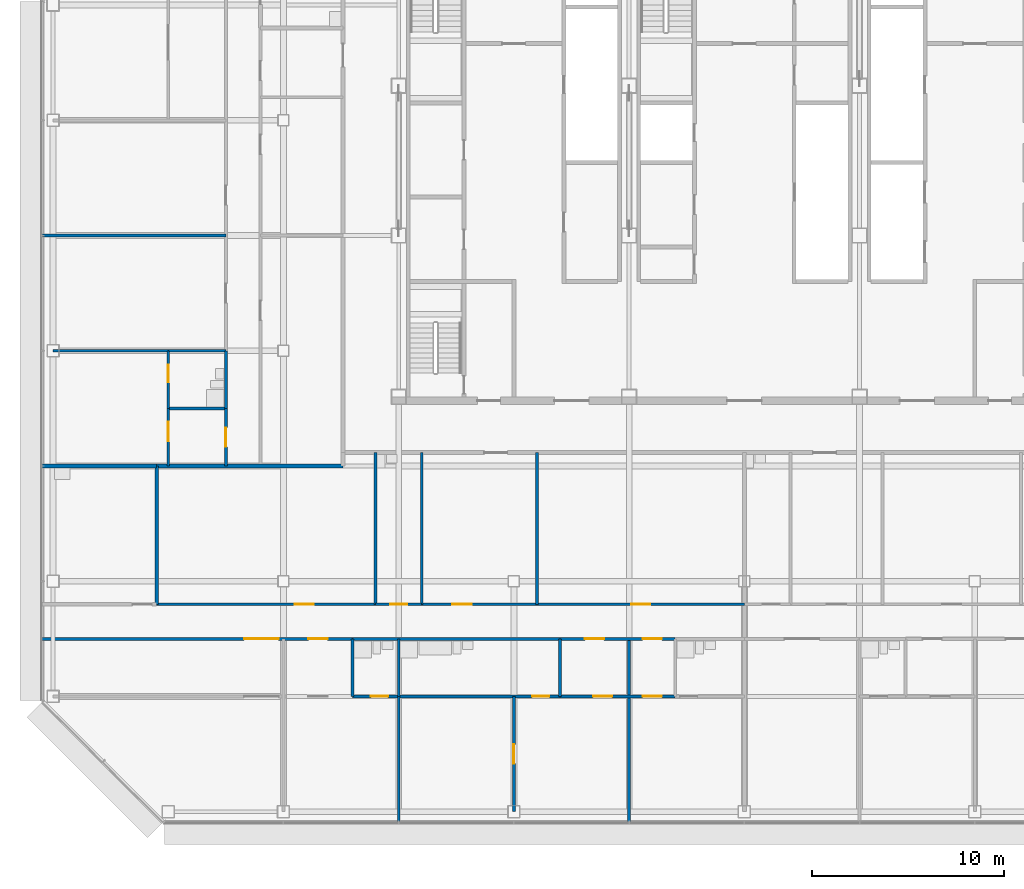
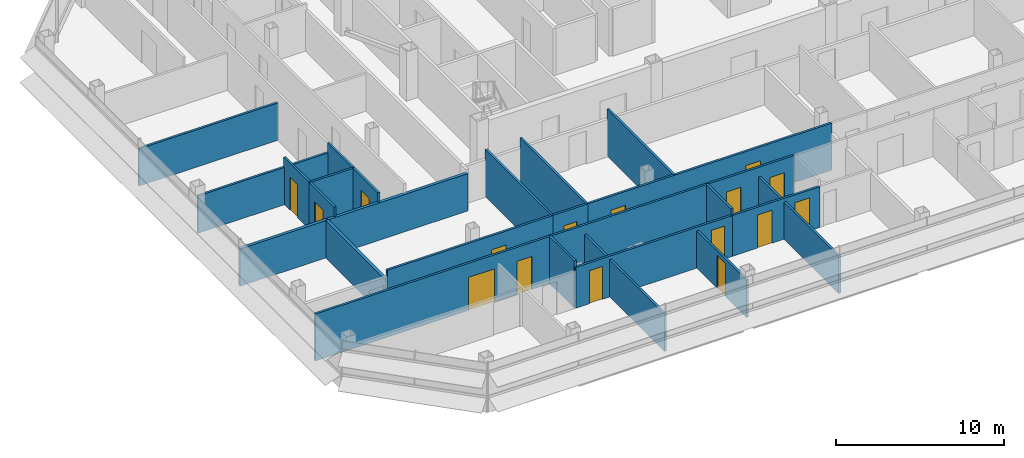
# One storey, part 20 of 27: 28 walls, 16 doors, 16 openings.
"""IFC4 building model written with IfcOpenShell, lengths in metres."""

from ifc_helpers import new_model, si_unit, direction, frame, frame_2d, origin, place, context, subcontext, project, spatial, rectangle, extrude, material, layer, layer_set, type_object, element, fill, save


model = new_model("IFC4")

# Units and contexts
model_context = context("Model", 3, precision=1e-05, world=origin(), true_north=direction((0.0, 1.0)))
body_context = subcontext(model_context, "Body", "Model", "MODEL_VIEW")
ifc_project = project(units=[si_unit("LENGTHUNIT", "METRE"), si_unit("AREAUNIT", "SQUARE_METRE"), si_unit("VOLUMEUNIT", "CUBIC_METRE"), si_unit("PLANEANGLEUNIT", "RADIAN"), si_unit("MASSUNIT", "GRAM", prefix="KILO")], contexts=[model_context])

# Site, building, storey
site_placement = place(None, origin())
site = spatial("IfcSite", under=ifc_project, at=site_placement, CompositionType="ELEMENT")
building_placement = place(site_placement, origin())
building = spatial("IfcBuilding", under=site, at=building_placement, Name="Sorahane Residences", CompositionType="ELEMENT")
storey_placement = place(building_placement, frame((0.0, 0.0, 226.199951171875)))
storey = spatial("IfcBuildingStorey", under=building, at=storey_placement, Name="L53", CompositionType="ELEMENT", Elevation=226.199951171875)

# Walls
ifc_material_1 = material(Name="Concrete blockwork C20 wall", Category="masonry")
ifc_layer_1 = layer(ifc_material_1, 0.199951171875)
ifc_layer_set_1 = layer_set([ifc_layer_1], Name="Kitchen wall 200 EI 180")
wall_type_1 = type_object("IfcWallType", Name="Kitchen wall 200 EI 180", PredefinedType="SOLIDWALL", material=ifc_layer_set_1)
wall_1_placement = place(storey_placement, frame((-6.60009765625, 10.800048828125, 0.0), z_axis=(0.0, 0.0, 1.0), x_axis=(0.0, 1.0, 0.0)))
element("IfcWall", 1, at=wall_1_placement, inside=storey, type_object=wall_type_1, Name="L53 kitchen wall", PredefinedType="SOLIDWALL", context=body_context, shape_type="SweptSolid", body=[
    extrude(rectangle(XDim=7.199951171875, YDim=0.199951171875, at=frame_2d((3.60009765625, 0.0))), origin(), (0.0, 0.0, 1.0), 2.719970703125),
])
wall_2_placement = place(storey_placement, frame((-12.60009765625, 18.0, 0.0), z_axis=(0.0, 0.0, 1.0), x_axis=(1.0, 0.0, 0.0)))
element("IfcWall", 2, at=wall_2_placement, inside=storey, type_object=wall_type_1, Name="L53 kitchen wall", PredefinedType="SOLIDWALL", context=body_context, shape_type="SweptSolid", body=[
    extrude(rectangle(XDim=6.0, YDim=0.199951171875, at=frame_2d((3.0, 0.0))), origin(), (0.0, 0.0, 1.0), 2.719970703125),
])

# Wall, opening, door
ifc_material_2 = material(Name="Gypsum board partition on steel studs", Category="steel")
ifc_layer_2 = layer(ifc_material_2, 0.14990234375)
ifc_layer_set_2 = layer_set([ifc_layer_2], Name="Partition 150 EI 90")
wall_type_2 = type_object("IfcWallType", Name="Partition 150 EI 90", PredefinedType="PARTITIONING", material=ifc_layer_set_2)
wall_3_placement = place(storey_placement, frame((-3.0, 18.0, 0.0), z_axis=(0.0, 0.0, 1.0), x_axis=(0.0, 1.0, 0.0)))
wall_3 = element("IfcWall", 3, at=wall_3_placement, inside=storey, type_object=wall_type_2, Name="L53 partition", PredefinedType="PARTITIONING", context=body_context, shape_type="SweptSolid", body=[
    extrude(rectangle(XDim=3.0, YDim=0.14990234375, at=frame_2d((1.5, 0.0))), origin(), (0.0, 0.0, 1.0), 3.420166015625),
])
opening_1_placement = place(wall_3_placement, frame((1.0, 0.0, 0.0)))
opening_1 = element("IfcOpeningElement", 4, at=opening_1_placement, cuts=wall_3, Name="Opening L53-35", PredefinedType="OPENING", context=body_context, shape_type="SweptSolid", body=[
    extrude(rectangle(XDim=1.0, YDim=2.39990234375, at=frame_2d((0.5, 1.199951171875))), frame((0.0, 0.0849609375, 0.0), z_axis=(0.0, -1.0, 0.0), x_axis=(1.0, 0.0, 0.0)), (0.0, 0.0, 1.0), 0.169921875),
])
ifc_material_3 = material(Name="Timber veneered fire door", Category="wood")
door_type_1 = type_object("IfcDoorType", Name="Room door 1000x2400 FD30", OperationType="NOTDEFINED", PredefinedType="DOOR", material=ifc_material_3)
door_1_placement = place(opening_1_placement, origin())
door_1 = element("IfcDoor", 5, at=door_1_placement, inside=storey, type_object=door_type_1, Name="Room door L53-35", OperationType="SINGLE_SWING_RIGHT", OverallHeight=2.39990234375, OverallWidth=1.0, PredefinedType="DOOR", context=body_context, shape_type="SweptSolid", body=[
    extrude(rectangle(XDim=1.0, YDim=2.39990234375, at=frame_2d((0.5, 1.199951171875))), frame((0.0, 0.02490234375, 0.0), z_axis=(0.0, -1.0, 0.0), x_axis=(1.0, 0.0, 0.0)), (0.0, 0.0, 1.0), 0.050048828125),
])
fill(opening_1, door_1)

wall_4_placement = place(storey_placement, frame((-6.0, 18.0, 0.0), z_axis=(0.0, 0.0, 1.0), x_axis=(0.0, 1.0, 0.0)))
wall_4 = element("IfcWall", 6, at=wall_4_placement, inside=storey, type_object=wall_type_2, Name="L53 partition", PredefinedType="PARTITIONING", context=body_context, shape_type="SweptSolid", body=[
    extrude(rectangle(XDim=3.0, YDim=0.14990234375, at=frame_2d((1.5, 0.0))), origin(), (0.0, 0.0, 1.0), 3.420166015625),
])
opening_2_placement = place(wall_4_placement, frame((1.300048828125, 0.0, 0.0)))
opening_2 = element("IfcOpeningElement", 7, at=opening_2_placement, cuts=wall_4, Name="Opening L53-39", PredefinedType="OPENING", context=body_context, shape_type="SweptSolid", body=[
    extrude(rectangle(XDim=1.0, YDim=2.39990234375, at=frame_2d((0.5, 1.199951171875))), frame((0.0, 0.0849609375, 0.0), z_axis=(0.0, -1.0, 0.0), x_axis=(1.0, 0.0, 0.0)), (0.0, 0.0, 1.0), 0.169921875),
])
door_2_placement = place(opening_2_placement, origin())
door_2 = element("IfcDoor", 8, at=door_2_placement, inside=storey, type_object=door_type_1, Name="Room door L53-39", OperationType="SINGLE_SWING_RIGHT", OverallHeight=2.39990234375, OverallWidth=1.0, PredefinedType="DOOR", context=body_context, shape_type="SweptSolid", body=[
    extrude(rectangle(XDim=1.0, YDim=2.39990234375, at=frame_2d((0.5, 1.199951171875))), frame((0.0, 0.02490234375, 0.0), z_axis=(0.0, -1.0, 0.0), x_axis=(1.0, 0.0, 0.0)), (0.0, 0.0, 1.0), 0.050048828125),
])
fill(opening_2, door_2)

wall_5_placement = place(storey_placement, frame((12.0, 0.0, 0.0), z_axis=(0.0, 0.0, 1.0), x_axis=(0.0, 1.0, 0.0)))
wall_5 = element("IfcWall", 9, at=wall_5_placement, inside=storey, type_object=wall_type_2, Name="L53 partition", PredefinedType="PARTITIONING", context=body_context, shape_type="SweptSolid", body=[
    extrude(rectangle(XDim=6.0, YDim=0.14990234375, at=frame_2d((3.0, 0.0))), origin(), (0.0, 0.0, 1.0), 2.719970703125),
])
opening_3_placement = place(wall_5_placement, frame((2.5, 0.0, 0.0)))
opening_3 = element("IfcOpeningElement", 10, at=opening_3_placement, cuts=wall_5, Name="Opening L53-14", PredefinedType="OPENING", context=body_context, shape_type="SweptSolid", body=[
    extrude(rectangle(XDim=1.0, YDim=2.39990234375, at=frame_2d((0.5, 1.199951171875))), frame((0.0, 0.0849609375, 0.0), z_axis=(0.0, -1.0, 0.0), x_axis=(1.0, 0.0, 0.0)), (0.0, 0.0, 1.0), 0.169921875),
])
door_3_placement = place(opening_3_placement, origin())
door_3 = element("IfcDoor", 11, at=door_3_placement, inside=storey, type_object=door_type_1, Name="Room door L53-14", OperationType="SINGLE_SWING_LEFT", OverallHeight=2.39990234375, OverallWidth=1.0, PredefinedType="DOOR", context=body_context, shape_type="SweptSolid", body=[
    extrude(rectangle(XDim=1.0, YDim=2.39990234375, at=frame_2d((0.5, 1.199951171875))), frame((0.0, 0.02490234375, 0.0), z_axis=(0.0, -1.0, 0.0), x_axis=(1.0, 0.0, 0.0)), (0.0, 0.0, 1.0), 0.050048828125),
])
fill(opening_3, door_3)

# Walls
wall_6_placement = place(storey_placement, frame((13.199951171875, 10.800048828125, 0.0), z_axis=(0.0, 0.0, 1.0), x_axis=(0.0, 1.0, 0.0)))
element("IfcWall", 12, at=wall_6_placement, inside=storey, type_object=wall_type_2, Name="L53 partition", PredefinedType="PARTITIONING", context=body_context, shape_type="SweptSolid", body=[
    extrude(rectangle(XDim=7.89990234375, YDim=0.14990234375, at=frame_2d((3.949951171875, 0.0))), origin(), (0.0, 0.0, 1.0), 3.420166015625),
])
wall_7_placement = place(storey_placement, frame((18.0, -0.60009765625, 0.0), z_axis=(0.0, 0.0, 1.0), x_axis=(0.0, 1.0, 0.0)))
element("IfcWall", 13, at=wall_7_placement, inside=storey, type_object=wall_type_2, Name="L53 partition", PredefinedType="PARTITIONING", context=body_context, shape_type="SweptSolid", body=[
    extrude(rectangle(XDim=9.60009765625, YDim=0.14990234375, at=frame_2d((4.800048828125, 0.0))), origin(), (0.0, 0.0, 1.0), 2.719970703125),
])
wall_8_placement = place(storey_placement, frame((6.0, -0.60009765625, 0.0), z_axis=(0.0, 0.0, 1.0), x_axis=(0.0, 1.0, 0.0)))
element("IfcWall", 14, at=wall_8_placement, inside=storey, type_object=wall_type_2, Name="L53 partition", PredefinedType="PARTITIONING", context=body_context, shape_type="SweptSolid", body=[
    extrude(rectangle(XDim=6.60009765625, YDim=0.14990234375, at=frame_2d((3.300048828125, 0.0))), origin(), (0.0, 0.0, 1.0), 2.719970703125),
])

# Wall, opening, door
wall_9_placement = place(storey_placement, frame((-6.60009765625, 10.800048828125, 0.0), z_axis=(0.0, 0.0, 1.0), x_axis=(1.0, 0.0, 0.0)))
wall_9 = element("IfcWall", 15, at=wall_9_placement, inside=storey, type_object=wall_type_2, Name="L53 partition", PredefinedType="PARTITIONING", context=body_context, shape_type="SweptSolid", body=[
    extrude(rectangle(XDim=11.400146484375, YDim=0.14990234375, at=frame_2d((5.7001953125, 0.0))), origin(), (0.0, 0.0, 1.0), 3.420166015625),
])
opening_4_placement = place(wall_9_placement, frame((7.179931640625, 0.0, 0.0)))
opening_4 = element("IfcOpeningElement", 16, at=opening_4_placement, cuts=wall_9, Name="Opening L53-03", PredefinedType="OPENING", context=body_context, shape_type="SweptSolid", body=[
    extrude(rectangle(XDim=1.0, YDim=2.39990234375, at=frame_2d((0.5, 1.199951171875))), frame((0.0, 0.0849609375, 0.0), z_axis=(0.0, -1.0, 0.0), x_axis=(1.0, 0.0, 0.0)), (0.0, 0.0, 1.0), 0.169921875),
])
door_4_placement = place(opening_4_placement, origin())
door_4 = element("IfcDoor", 17, at=door_4_placement, inside=storey, type_object=door_type_1, Name="Room door L53-03", OperationType="SINGLE_SWING_RIGHT", OverallHeight=2.39990234375, OverallWidth=1.0, PredefinedType="DOOR", context=body_context, shape_type="SweptSolid", body=[
    extrude(rectangle(XDim=1.0, YDim=2.39990234375, at=frame_2d((0.5, 1.199951171875))), frame((0.0, 0.02490234375, 0.0), z_axis=(0.0, -1.0, 0.0), x_axis=(1.0, 0.0, 0.0)), (0.0, 0.0, 1.0), 0.050048828125),
])
fill(opening_4, door_4)

# Wall, openings, doors
wall_10_placement = place(storey_placement, frame((7.199951171875, 10.800048828125, 0.0), z_axis=(0.0, 0.0, 1.0), x_axis=(1.0, 0.0, 0.0)))
wall_10 = element("IfcWall", 18, at=wall_10_placement, inside=storey, type_object=wall_type_2, Name="L53 partition", PredefinedType="PARTITIONING", context=body_context, shape_type="SweptSolid", body=[
    extrude(rectangle(XDim=16.800048828125, YDim=0.14990234375, at=frame_2d((8.39990234375, 0.0))), origin(), (0.0, 0.0, 1.0), 3.420166015625),
])
opening_5_placement = place(wall_10_placement, frame((1.60009765625, 0.0, 0.0)))
opening_5 = element("IfcOpeningElement", 19, at=opening_5_placement, cuts=wall_10, Name="Opening L53-01", PredefinedType="OPENING", context=body_context, shape_type="SweptSolid", body=[
    extrude(rectangle(XDim=1.0, YDim=2.39990234375, at=frame_2d((0.5, 1.199951171875))), frame((0.0, 0.0849609375, 0.0), z_axis=(0.0, -1.0, 0.0), x_axis=(1.0, 0.0, 0.0)), (0.0, 0.0, 1.0), 0.169921875),
])
opening_6_placement = place(wall_10_placement, frame((10.89990234375, 0.0, 0.0)))
opening_6 = element("IfcOpeningElement", 20, at=opening_6_placement, cuts=wall_10, Name="Opening L53-05", PredefinedType="OPENING", context=body_context, shape_type="SweptSolid", body=[
    extrude(rectangle(XDim=1.0, YDim=2.39990234375, at=frame_2d((0.5, 1.199951171875))), frame((0.0, 0.0849609375, 0.0), z_axis=(0.0, -1.0, 0.0), x_axis=(1.0, 0.0, 0.0)), (0.0, 0.0, 1.0), 0.169921875),
])
door_5_placement = place(opening_5_placement, frame((1.0, 0.0, 0.0), z_axis=(0.0, 0.0, 1.0), x_axis=(-1.0, 0.0, 0.0)))
door_5 = element("IfcDoor", 21, at=door_5_placement, inside=storey, type_object=door_type_1, Name="Room door L53-01", OperationType="SINGLE_SWING_LEFT", OverallHeight=2.39990234375, OverallWidth=1.0, PredefinedType="DOOR", context=body_context, shape_type="SweptSolid", body=[
    extrude(rectangle(XDim=1.0, YDim=2.39990234375, at=frame_2d((0.5, 1.199951171875))), frame((0.0, 0.02490234375, 0.0), z_axis=(0.0, -1.0, 0.0), x_axis=(1.0, 0.0, 0.0)), (0.0, 0.0, 1.0), 0.050048828125),
])
fill(opening_5, door_5)
door_6_placement = place(opening_6_placement, origin())
door_6 = element("IfcDoor", 22, at=door_6_placement, inside=storey, type_object=door_type_1, Name="Room door L53-05", OperationType="SINGLE_SWING_RIGHT", OverallHeight=2.39990234375, OverallWidth=1.0, PredefinedType="DOOR", context=body_context, shape_type="SweptSolid", body=[
    extrude(rectangle(XDim=1.0, YDim=2.39990234375, at=frame_2d((0.5, 1.199951171875))), frame((0.0, 0.02490234375, 0.0), z_axis=(0.0, -1.0, 0.0), x_axis=(1.0, 0.0, 0.0)), (0.0, 0.0, 1.0), 0.050048828125),
])
fill(opening_6, door_6)

# Walls
wall_11_placement = place(storey_placement, frame((-12.0, 24.0, 0.0), z_axis=(0.0, 0.0, 1.0), x_axis=(1.0, 0.0, 0.0)))
element("IfcWall", 23, at=wall_11_placement, inside=storey, type_object=wall_type_2, Name="L53 partition", PredefinedType="PARTITIONING", context=body_context, shape_type="SweptSolid", body=[
    extrude(rectangle(XDim=6.0, YDim=0.14990234375, at=frame_2d((3.0, 0.0))), origin(), (0.0, 0.0, 1.0), 2.719970703125),
])
wall_12_placement = place(storey_placement, frame((-12.60009765625, 30.0, 0.0), z_axis=(0.0, 0.0, 1.0), x_axis=(1.0, 0.0, 0.0)))
element("IfcWall", 24, at=wall_12_placement, inside=storey, type_object=wall_type_2, Name="L53 partition", PredefinedType="PARTITIONING", context=body_context, shape_type="SweptSolid", body=[
    extrude(rectangle(XDim=9.60009765625, YDim=0.14990234375, at=frame_2d((4.800048828125, 0.0))), origin(), (0.0, 0.0, 1.0), 2.719970703125),
])

# Wall, openings, doors
wall_13_placement = place(storey_placement, frame((14.39990234375, 6.0, 0.0), z_axis=(0.0, 0.0, 1.0), x_axis=(1.0, 0.0, 0.0)))
wall_13 = element("IfcWall", 25, at=wall_13_placement, inside=storey, type_object=wall_type_2, Name="L53 partition", PredefinedType="PARTITIONING", context=body_context, shape_type="SweptSolid", body=[
    extrude(rectangle(XDim=6.0, YDim=0.14990234375, at=frame_2d((3.0, 0.0))), origin(), (0.0, 0.0, 1.0), 2.969970703125),
])
opening_7_placement = place(wall_13_placement, frame((1.719970703125, 0.0, 0.0)))
opening_7 = element("IfcOpeningElement", 26, at=opening_7_placement, cuts=wall_13, Name="Opening L53-13", PredefinedType="OPENING", context=body_context, shape_type="SweptSolid", body=[
    extrude(rectangle(XDim=1.0, YDim=2.39990234375, at=frame_2d((0.5, 1.199951171875))), frame((0.0, 0.0849609375, 0.0), z_axis=(0.0, -1.0, 0.0), x_axis=(1.0, 0.0, 0.0)), (0.0, 0.0, 1.0), 0.169921875),
])
opening_8_placement = place(wall_13_placement, frame((4.300048828125, 0.0, 0.0)))
opening_8 = element("IfcOpeningElement", 27, at=opening_8_placement, cuts=wall_13, Name="Opening L53-16", PredefinedType="OPENING", context=body_context, shape_type="SweptSolid", body=[
    extrude(rectangle(XDim=1.0, YDim=2.39990234375, at=frame_2d((0.5, 1.199951171875))), frame((0.0, 0.0849609375, 0.0), z_axis=(0.0, -1.0, 0.0), x_axis=(1.0, 0.0, 0.0)), (0.0, 0.0, 1.0), 0.169921875),
])
door_7_placement = place(opening_7_placement, frame((1.0, 0.0, 0.0), z_axis=(0.0, 0.0, 1.0), x_axis=(-1.0, 0.0, 0.0)))
door_7 = element("IfcDoor", 28, at=door_7_placement, inside=storey, type_object=door_type_1, Name="Room door L53-13", OperationType="SINGLE_SWING_LEFT", OverallHeight=2.39990234375, OverallWidth=1.0, PredefinedType="DOOR", context=body_context, shape_type="SweptSolid", body=[
    extrude(rectangle(XDim=1.0, YDim=2.39990234375, at=frame_2d((0.5, 1.199951171875))), frame((0.0, 0.02490234375, 0.0), z_axis=(0.0, -1.0, 0.0), x_axis=(1.0, 0.0, 0.0)), (0.0, 0.0, 1.0), 0.050048828125),
])
fill(opening_7, door_7)
door_8_placement = place(opening_8_placement, frame((1.0, 0.0, 0.0), z_axis=(0.0, 0.0, 1.0), x_axis=(-1.0, 0.0, 0.0)))
door_8 = element("IfcDoor", 29, at=door_8_placement, inside=storey, type_object=door_type_1, Name="Room door L53-16", OperationType="SINGLE_SWING_LEFT", OverallHeight=2.39990234375, OverallWidth=1.0, PredefinedType="DOOR", context=body_context, shape_type="SweptSolid", body=[
    extrude(rectangle(XDim=1.0, YDim=2.39990234375, at=frame_2d((0.5, 1.199951171875))), frame((0.0, 0.02490234375, 0.0), z_axis=(0.0, -1.0, 0.0), x_axis=(1.0, 0.0, 0.0)), (0.0, 0.0, 1.0), 0.050048828125),
])
fill(opening_8, door_8)

wall_14_placement = place(storey_placement, frame((-12.60009765625, 9.0, 0.0), z_axis=(0.0, 0.0, 1.0), x_axis=(1.0, 0.0, 0.0)))
wall_14 = element("IfcWall", 30, at=wall_14_placement, inside=storey, type_object=wall_type_2, Name="L53 partition", PredefinedType="PARTITIONING", context=body_context, shape_type="SweptSolid", body=[
    extrude(rectangle(XDim=16.2001953125, YDim=0.14990234375, at=frame_2d((8.10009765625, 0.0))), origin(), (0.0, 0.0, 1.0), 3.420166015625),
])
opening_9_placement = place(wall_14_placement, frame((10.550048828125, 0.0, 0.0)))
opening_9 = element("IfcOpeningElement", 31, at=opening_9_placement, cuts=wall_14, Name="Opening L53-06", PredefinedType="OPENING", context=body_context, shape_type="SweptSolid", body=[
    extrude(rectangle(XDim=1.800048828125, YDim=2.39990234375, at=frame_2d((0.89990234375, 1.199951171875))), frame((0.0, 0.0849609375, 0.0), z_axis=(0.0, -1.0, 0.0), x_axis=(1.0, 0.0, 0.0)), (0.0, 0.0, 1.0), 0.169921875),
])
opening_10_placement = place(wall_14_placement, frame((13.89990234375, 0.0, 0.0)))
opening_10 = element("IfcOpeningElement", 32, at=opening_10_placement, cuts=wall_14, Name="Opening L53-07", PredefinedType="OPENING", context=body_context, shape_type="SweptSolid", body=[
    extrude(rectangle(XDim=1.0, YDim=2.39990234375, at=frame_2d((0.5, 1.199951171875))), frame((0.0, 0.0849609375, 0.0), z_axis=(0.0, -1.0, 0.0), x_axis=(1.0, 0.0, 0.0)), (0.0, 0.0, 1.0), 0.169921875),
])
ifc_material_4 = material(Name="Timber veneered fire door", Category="wood")
door_type_2 = type_object("IfcDoorType", Name="Double door 1800x2400 FD30", OperationType="NOTDEFINED", PredefinedType="DOOR", material=ifc_material_4)
door_9_placement = place(opening_9_placement, frame((1.800048828125, 0.0, 0.0), z_axis=(0.0, 0.0, 1.0), x_axis=(-1.0, 0.0, 0.0)))
door_9 = element("IfcDoor", 33, at=door_9_placement, inside=storey, type_object=door_type_2, Name="Double door L53-06", OperationType="SINGLE_SWING_LEFT", OverallHeight=2.39990234375, OverallWidth=1.800048828125, PredefinedType="DOOR", context=body_context, shape_type="SweptSolid", body=[
    extrude(rectangle(XDim=1.800048828125, YDim=2.39990234375, at=frame_2d((0.89990234375, 1.199951171875))), frame((0.0, 0.02490234375, 0.0), z_axis=(0.0, -1.0, 0.0), x_axis=(1.0, 0.0, 0.0)), (0.0, 0.0, 1.0), 0.050048828125),
])
fill(opening_9, door_9)
door_10_placement = place(opening_10_placement, frame((1.0, 0.0, 0.0), z_axis=(0.0, 0.0, 1.0), x_axis=(-1.0, 0.0, 0.0)))
door_10 = element("IfcDoor", 34, at=door_10_placement, inside=storey, type_object=door_type_1, Name="Room door L53-07", OperationType="SINGLE_SWING_RIGHT", OverallHeight=2.39990234375, OverallWidth=1.0, PredefinedType="DOOR", context=body_context, shape_type="SweptSolid", body=[
    extrude(rectangle(XDim=1.0, YDim=2.39990234375, at=frame_2d((0.5, 1.199951171875))), frame((0.0, 0.02490234375, 0.0), z_axis=(0.0, -1.0, 0.0), x_axis=(1.0, 0.0, 0.0)), (0.0, 0.0, 1.0), 0.050048828125),
])
fill(opening_10, door_10)

wall_15_placement = place(storey_placement, frame((14.39990234375, 9.0, 0.0), z_axis=(0.0, 0.0, 1.0), x_axis=(1.0, 0.0, 0.0)))
wall_15 = element("IfcWall", 35, at=wall_15_placement, inside=storey, type_object=wall_type_2, Name="L53 partition", PredefinedType="PARTITIONING", context=body_context, shape_type="SweptSolid", body=[
    extrude(rectangle(XDim=6.0, YDim=0.14990234375, at=frame_2d((3.0, 0.0))), origin(), (0.0, 0.0, 1.0), 3.420166015625),
])
opening_11_placement = place(wall_15_placement, frame((1.300048828125, 0.0, 0.0)))
opening_11 = element("IfcOpeningElement", 36, at=opening_11_placement, cuts=wall_15, Name="Opening L53-08", PredefinedType="OPENING", context=body_context, shape_type="SweptSolid", body=[
    extrude(rectangle(XDim=1.0, YDim=2.39990234375, at=frame_2d((0.5, 1.199951171875))), frame((0.0, 0.0849609375, 0.0), z_axis=(0.0, -1.0, 0.0), x_axis=(1.0, 0.0, 0.0)), (0.0, 0.0, 1.0), 0.169921875),
])
opening_12_placement = place(wall_15_placement, frame((4.300048828125, 0.0, 0.0)))
opening_12 = element("IfcOpeningElement", 37, at=opening_12_placement, cuts=wall_15, Name="Opening L53-09", PredefinedType="OPENING", context=body_context, shape_type="SweptSolid", body=[
    extrude(rectangle(XDim=1.0, YDim=2.39990234375, at=frame_2d((0.5, 1.199951171875))), frame((0.0, 0.0849609375, 0.0), z_axis=(0.0, -1.0, 0.0), x_axis=(1.0, 0.0, 0.0)), (0.0, 0.0, 1.0), 0.169921875),
])
door_11_placement = place(opening_11_placement, frame((1.0, 0.0, 0.0), z_axis=(0.0, 0.0, 1.0), x_axis=(-1.0, 0.0, 0.0)))
door_11 = element("IfcDoor", 38, at=door_11_placement, inside=storey, type_object=door_type_1, Name="Room door L53-08", OperationType="SINGLE_SWING_RIGHT", OverallHeight=2.39990234375, OverallWidth=1.0, PredefinedType="DOOR", context=body_context, shape_type="SweptSolid", body=[
    extrude(rectangle(XDim=1.0, YDim=2.39990234375, at=frame_2d((0.5, 1.199951171875))), frame((0.0, 0.02490234375, 0.0), z_axis=(0.0, -1.0, 0.0), x_axis=(1.0, 0.0, 0.0)), (0.0, 0.0, 1.0), 0.050048828125),
])
fill(opening_11, door_11)
door_12_placement = place(opening_12_placement, frame((1.0, 0.0, 0.0), z_axis=(0.0, 0.0, 1.0), x_axis=(-1.0, 0.0, 0.0)))
door_12 = element("IfcDoor", 39, at=door_12_placement, inside=storey, type_object=door_type_1, Name="Room door L53-09", OperationType="SINGLE_SWING_RIGHT", OverallHeight=2.39990234375, OverallWidth=1.0, PredefinedType="DOOR", context=body_context, shape_type="SweptSolid", body=[
    extrude(rectangle(XDim=1.0, YDim=2.39990234375, at=frame_2d((0.5, 1.199951171875))), frame((0.0, 0.02490234375, 0.0), z_axis=(0.0, -1.0, 0.0), x_axis=(1.0, 0.0, 0.0)), (0.0, 0.0, 1.0), 0.050048828125),
])
fill(opening_12, door_12)

# Walls
ifc_material_5 = material(Name="Concrete blockwork C20 wall", Category="masonry")
ifc_layer_3 = layer(ifc_material_5, 0.199951171875)
ifc_layer_set_3 = layer_set([ifc_layer_3], Name="Party wall 200 EI 120")
wall_type_3 = type_object("IfcWallType", Name="Party wall 200 EI 120", PredefinedType="SOLIDWALL", material=ifc_layer_set_3)
wall_16_placement = place(storey_placement, frame((-6.60009765625, 18.0, 0.0), z_axis=(0.0, 0.0, 1.0), x_axis=(1.0, 0.0, 0.0)))
element("IfcWall", 40, at=wall_16_placement, inside=storey, type_object=wall_type_3, Name="L53 party wall", PredefinedType="SOLIDWALL", context=body_context, shape_type="SweptSolid", body=[
    extrude(rectangle(XDim=9.7001953125, YDim=0.199951171875, at=frame_2d((4.85009765625, 0.0))), origin(), (0.0, 0.0, 1.0), 2.719970703125),
])
ifc_material_6 = material(Name="Gypsum board partition on steel studs", Category="steel")
ifc_layer_4 = layer(ifc_material_6, 0.14990234375)
ifc_layer_set_4 = layer_set([ifc_layer_4], Name="Wet wall 150 EI 90")
wall_type_4 = type_object("IfcWallType", Name="Wet wall 150 EI 90", PredefinedType="PARTITIONING", material=ifc_layer_set_4)
wall_17_placement = place(storey_placement, frame((-3.0, 21.0, 0.0), z_axis=(0.0, 0.0, 1.0), x_axis=(0.0, 1.0, 0.0)))
element("IfcWall", 41, at=wall_17_placement, inside=storey, type_object=wall_type_4, Name="L53 wet wall", PredefinedType="PARTITIONING", context=body_context, shape_type="SweptSolid", body=[
    extrude(rectangle(XDim=3.0, YDim=0.14990234375, at=frame_2d((1.5, 0.0))), origin(), (0.0, 0.0, 1.0), 3.420166015625),
])

# Wall, opening, door
wall_18_placement = place(storey_placement, frame((-6.0, 21.0, 0.0), z_axis=(0.0, 0.0, 1.0), x_axis=(0.0, 1.0, 0.0)))
wall_18 = element("IfcWall", 42, at=wall_18_placement, inside=storey, type_object=wall_type_4, Name="L53 wet wall", PredefinedType="PARTITIONING", context=body_context, shape_type="SweptSolid", body=[
    extrude(rectangle(XDim=3.0, YDim=0.14990234375, at=frame_2d((1.5, 0.0))), origin(), (0.0, 0.0, 1.0), 3.420166015625),
])
opening_13_placement = place(wall_18_placement, frame((1.3701171875, 0.0, 0.0)))
opening_13 = element("IfcOpeningElement", 43, at=opening_13_placement, cuts=wall_18, Name="Opening L53-40", PredefinedType="OPENING", context=body_context, shape_type="SweptSolid", body=[
    extrude(rectangle(XDim=0.89990234375, YDim=2.39990234375, at=frame_2d((0.449951171875, 1.199951171875))), frame((0.0, 0.0849609375, 0.0), z_axis=(0.0, -1.0, 0.0), x_axis=(1.0, 0.0, 0.0)), (0.0, 0.0, 1.0), 0.169921875),
])
ifc_material_7 = material(Name="Timber veneered fire door", Category="wood")
door_type_3 = type_object("IfcDoorType", Name="Bathroom door 900x2400 FD30", OperationType="NOTDEFINED", PredefinedType="DOOR", material=ifc_material_7)
door_13_placement = place(opening_13_placement, origin())
door_13 = element("IfcDoor", 44, at=door_13_placement, inside=storey, type_object=door_type_3, Name="Bathroom door L53-40", OperationType="SINGLE_SWING_LEFT", OverallHeight=2.39990234375, OverallWidth=0.89990234375, PredefinedType="DOOR", context=body_context, shape_type="SweptSolid", body=[
    extrude(rectangle(XDim=0.89990234375, YDim=2.39990234375, at=frame_2d((0.449951171875, 1.199951171875))), frame((0.0, 0.02490234375, 0.0), z_axis=(0.0, -1.0, 0.0), x_axis=(1.0, 0.0, 0.0)), (0.0, 0.0, 1.0), 0.050048828125),
])
fill(opening_13, door_13)

# Walls
for number, where, z_axis, x_axis, name in (
    (45, (14.39990234375, 6.0, 0.0), (0.0, 0.0, 1.0), (0.0, 1.0, 0.0), "L53 wet wall"),
    (46, (3.60009765625, 6.0, 0.0), (0.0, 0.0, 1.0), (0.0, 1.0, 0.0), "L53 wet wall"),
):
    element("IfcWall", number, at=place(storey_placement, frame(where, z_axis=z_axis, x_axis=x_axis)), inside=storey, type_object=wall_type_4, Name=name, PredefinedType="PARTITIONING", context=body_context, shape_type="SweptSolid", body=[
        extrude(rectangle(XDim=3.0, YDim=0.14990234375, at=frame_2d((1.5, 0.0))), origin(), (0.0, 0.0, 1.0), 3.420166015625),
    ])
wall_19_placement = place(storey_placement, frame((4.800048828125, 10.800048828125, 0.0), z_axis=(0.0, 0.0, 1.0), x_axis=(0.0, 1.0, 0.0)))
element("IfcWall", 47, at=wall_19_placement, inside=storey, type_object=wall_type_4, Name="L53 wet wall", PredefinedType="PARTITIONING", context=body_context, shape_type="SweptSolid", body=[
    extrude(rectangle(XDim=7.89990234375, YDim=0.14990234375, at=frame_2d((3.949951171875, 0.0))), origin(), (0.0, 0.0, 1.0), 3.420166015625),
])
wall_20_placement = place(storey_placement, frame((6.0, 6.0, 0.0), z_axis=(0.0, 0.0, 1.0), x_axis=(0.0, 1.0, 0.0)))
element("IfcWall", 48, at=wall_20_placement, inside=storey, type_object=wall_type_4, Name="L53 wet wall", PredefinedType="PARTITIONING", context=body_context, shape_type="SweptSolid", body=[
    extrude(rectangle(XDim=3.0, YDim=0.14990234375, at=frame_2d((1.5, 0.0))), origin(), (0.0, 0.0, 1.0), 2.719970703125),
])
wall_21_placement = place(storey_placement, frame((7.199951171875, 10.800048828125, 0.0), z_axis=(0.0, 0.0, 1.0), x_axis=(0.0, 1.0, 0.0)))
element("IfcWall", 49, at=wall_21_placement, inside=storey, type_object=wall_type_4, Name="L53 wet wall", PredefinedType="PARTITIONING", context=body_context, shape_type="SweptSolid", body=[
    extrude(rectangle(XDim=7.89990234375, YDim=0.14990234375, at=frame_2d((3.949951171875, 0.0))), origin(), (0.0, 0.0, 1.0), 3.420166015625),
])

# Wall, opening, door
wall_22_placement = place(storey_placement, frame((4.800048828125, 10.800048828125, 0.0), z_axis=(0.0, 0.0, 1.0), x_axis=(1.0, 0.0, 0.0)))
wall_22 = element("IfcWall", 50, at=wall_22_placement, inside=storey, type_object=wall_type_4, Name="L53 wet wall", PredefinedType="PARTITIONING", context=body_context, shape_type="SweptSolid", body=[
    extrude(rectangle(XDim=2.39990234375, YDim=0.14990234375, at=frame_2d((1.199951171875, 0.0))), origin(), (0.0, 0.0, 1.0), 3.420166015625),
])
opening_14_placement = place(wall_22_placement, frame((0.75, 0.0, 0.0)))
opening_14 = element("IfcOpeningElement", 51, at=opening_14_placement, cuts=wall_22, Name="Opening L53-04", PredefinedType="OPENING", context=body_context, shape_type="SweptSolid", body=[
    extrude(rectangle(XDim=0.89990234375, YDim=2.39990234375, at=frame_2d((0.449951171875, 1.199951171875))), frame((0.0, 0.0849609375, 0.0), z_axis=(0.0, -1.0, 0.0), x_axis=(1.0, 0.0, 0.0)), (0.0, 0.0, 1.0), 0.169921875),
])
door_14_placement = place(opening_14_placement, frame((0.89990234375, 0.0, 0.0), z_axis=(0.0, 0.0, 1.0), x_axis=(-1.0, 0.0, 0.0)))
door_14 = element("IfcDoor", 52, at=door_14_placement, inside=storey, type_object=door_type_3, Name="Bathroom door L53-04", OperationType="SINGLE_SWING_LEFT", OverallHeight=2.39990234375, OverallWidth=0.89990234375, PredefinedType="DOOR", context=body_context, shape_type="SweptSolid", body=[
    extrude(rectangle(XDim=0.89990234375, YDim=2.39990234375, at=frame_2d((0.449951171875, 1.199951171875))), frame((0.0, 0.02490234375, 0.0), z_axis=(0.0, -1.0, 0.0), x_axis=(1.0, 0.0, 0.0)), (0.0, 0.0, 1.0), 0.050048828125),
])
fill(opening_14, door_14)

# Walls
wall_23_placement = place(storey_placement, frame((-6.0, 21.0, 0.0), z_axis=(0.0, 0.0, 1.0), x_axis=(1.0, 0.0, 0.0)))
element("IfcWall", 53, at=wall_23_placement, inside=storey, type_object=wall_type_4, Name="L53 wet wall", PredefinedType="PARTITIONING", context=body_context, shape_type="SweptSolid", body=[
    extrude(rectangle(XDim=3.0, YDim=0.14990234375, at=frame_2d((1.5, 0.0))), origin(), (0.0, 0.0, 1.0), 3.420166015625),
])
wall_24_placement = place(storey_placement, frame((-6.0, 24.0, 0.0), z_axis=(0.0, 0.0, 1.0), x_axis=(1.0, 0.0, 0.0)))
element("IfcWall", 54, at=wall_24_placement, inside=storey, type_object=wall_type_4, Name="L53 wet wall", PredefinedType="PARTITIONING", context=body_context, shape_type="SweptSolid", body=[
    extrude(rectangle(XDim=3.0, YDim=0.14990234375, at=frame_2d((1.5, 0.0))), origin(), (0.0, 0.0, 1.0), 2.719970703125),
])

# Wall, openings, doors
wall_25_placement = place(storey_placement, frame((3.60009765625, 6.0, 0.0), z_axis=(0.0, 0.0, 1.0), x_axis=(1.0, 0.0, 0.0)))
wall_25 = element("IfcWall", 55, at=wall_25_placement, inside=storey, type_object=wall_type_4, Name="L53 wet wall", PredefinedType="PARTITIONING", context=body_context, shape_type="SweptSolid", body=[
    extrude(rectangle(XDim=10.7998046875, YDim=0.14990234375, at=frame_2d((5.39990234375, 0.0))), origin(), (0.0, 0.0, 1.0), 2.969970703125),
])
opening_15_placement = place(wall_25_placement, frame((0.949951171875, 0.0, 0.0)))
opening_15 = element("IfcOpeningElement", 56, at=opening_15_placement, cuts=wall_25, Name="Opening L53-12", PredefinedType="OPENING", context=body_context, shape_type="SweptSolid", body=[
    extrude(rectangle(XDim=0.89990234375, YDim=2.39990234375, at=frame_2d((0.449951171875, 1.199951171875))), frame((0.0, 0.0849609375, 0.0), z_axis=(0.0, -1.0, 0.0), x_axis=(1.0, 0.0, 0.0)), (0.0, 0.0, 1.0), 0.169921875),
])
opening_16_placement = place(wall_25_placement, frame((9.35009765625, 0.0, 0.0)))
opening_16 = element("IfcOpeningElement", 57, at=opening_16_placement, cuts=wall_25, Name="Opening L53-15", PredefinedType="OPENING", context=body_context, shape_type="SweptSolid", body=[
    extrude(rectangle(XDim=0.89990234375, YDim=2.39990234375, at=frame_2d((0.449951171875, 1.199951171875))), frame((0.0, 0.0849609375, 0.0), z_axis=(0.0, -1.0, 0.0), x_axis=(1.0, 0.0, 0.0)), (0.0, 0.0, 1.0), 0.169921875),
])
door_15_placement = place(opening_15_placement, frame((0.89990234375, 0.0, 0.0), z_axis=(0.0, 0.0, 1.0), x_axis=(-1.0, 0.0, 0.0)))
door_15 = element("IfcDoor", 58, at=door_15_placement, inside=storey, type_object=door_type_3, Name="Bathroom door L53-12", OperationType="SINGLE_SWING_RIGHT", OverallHeight=2.39990234375, OverallWidth=0.89990234375, PredefinedType="DOOR", context=body_context, shape_type="SweptSolid", body=[
    extrude(rectangle(XDim=0.89990234375, YDim=2.39990234375, at=frame_2d((0.449951171875, 1.199951171875))), frame((0.0, 0.02490234375, 0.0), z_axis=(0.0, -1.0, 0.0), x_axis=(1.0, 0.0, 0.0)), (0.0, 0.0, 1.0), 0.050048828125),
])
fill(opening_15, door_15)
door_16_placement = place(opening_16_placement, frame((0.89990234375, 0.0, 0.0), z_axis=(0.0, 0.0, 1.0), x_axis=(-1.0, 0.0, 0.0)))
door_16 = element("IfcDoor", 59, at=door_16_placement, inside=storey, type_object=door_type_3, Name="Bathroom door L53-15", OperationType="SINGLE_SWING_LEFT", OverallHeight=2.39990234375, OverallWidth=0.89990234375, PredefinedType="DOOR", context=body_context, shape_type="SweptSolid", body=[
    extrude(rectangle(XDim=0.89990234375, YDim=2.39990234375, at=frame_2d((0.449951171875, 1.199951171875))), frame((0.0, 0.02490234375, 0.0), z_axis=(0.0, -1.0, 0.0), x_axis=(1.0, 0.0, 0.0)), (0.0, 0.0, 1.0), 0.050048828125),
])
fill(opening_16, door_16)

# Wall
wall_26_placement = place(storey_placement, frame((3.60009765625, 9.0, 0.0), z_axis=(0.0, 0.0, 1.0), x_axis=(1.0, 0.0, 0.0)))
element("IfcWall", 60, at=wall_26_placement, inside=storey, type_object=wall_type_4, Name="L53 wet wall", PredefinedType="PARTITIONING", context=body_context, shape_type="SweptSolid", body=[
    extrude(rectangle(XDim=10.7998046875, YDim=0.14990234375, at=frame_2d((5.39990234375, 0.0))), origin(), (0.0, 0.0, 1.0), 3.420166015625),
])

save(model, "model.ifc")
